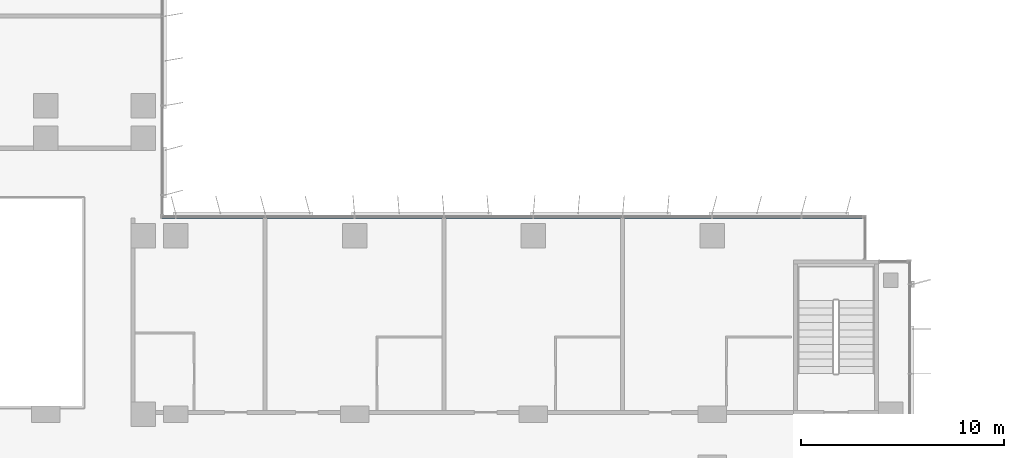
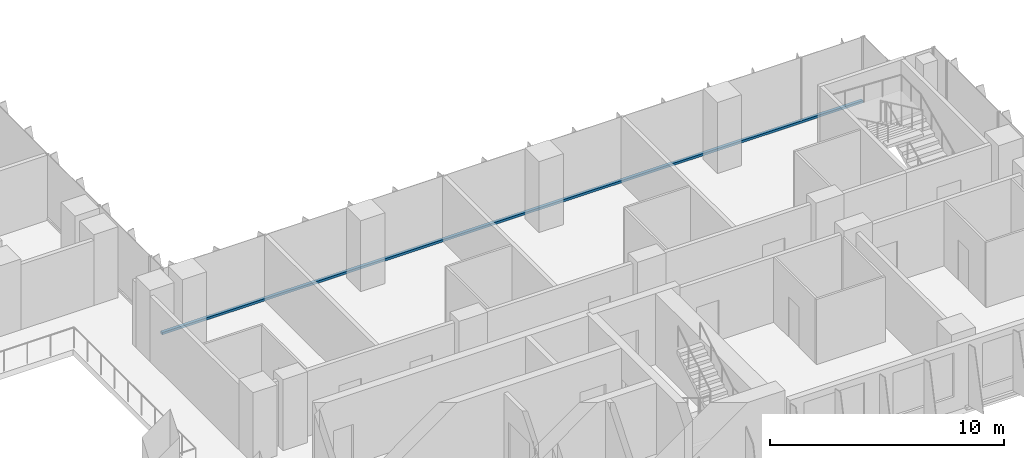
# One storey, part 3 of 22: 1 member, 1 element without a shape of its own.
"""IFC4 building model written with IfcOpenShell, lengths in metres."""

from ifc_helpers import new_model, si_unit, direction, frame, origin, origin_2d, place, context, subcontext, project, spatial, rectangle, extrude, material, material_profile, profile_set, type_object, element, aggregate, save


model = new_model("IFC4")

# Units and contexts
model_context = context("Model", 3, precision=1e-05, world=origin(), true_north=direction((0.0, 1.0)))
body_context = subcontext(model_context, "Body", "Model", "MODEL_VIEW")
ifc_project = project(units=[si_unit("LENGTHUNIT", "METRE"), si_unit("AREAUNIT", "SQUARE_METRE"), si_unit("VOLUMEUNIT", "CUBIC_METRE"), si_unit("PLANEANGLEUNIT", "RADIAN"), si_unit("MASSUNIT", "GRAM", prefix="KILO")], contexts=[model_context])

# Site, building, storey
site_placement = place(None, origin())
site = spatial("IfcSite", under=ifc_project, at=site_placement, CompositionType="ELEMENT")
building_placement = place(site_placement, origin())
building = spatial("IfcBuilding", under=site, at=building_placement, Name="Kemantara Hotel Tower", CompositionType="ELEMENT")
storey_placement = place(building_placement, frame((0.0, 0.0, 87.10009765625)))
storey = spatial("IfcBuildingStorey", under=building, at=storey_placement, Name="L20", CompositionType="ELEMENT", Elevation=87.10009765625)

# Curtain wall, member
ifc_material_1 = material(Name="Low-E tinted double insulated glass 36 mm", Category="glass")
curtain_wall_type = type_object("IfcCurtainWallType", Name="TOWER CURTAIN WALL, FRONT FACES", PredefinedType="USERDEFINED", material=ifc_material_1)
curtain_wall_placement = place(storey_placement, origin())
curtain_wall = element("IfcCurtainWall", 1, at=curtain_wall_placement, inside=storey, type_object=curtain_wall_type, Name="CW4 L20 T2-R13-1", ObjectType="TOWER CURTAIN WALL, FRONT FACES", PredefinedType="USERDEFINED")
ifc_material_2 = material(Name="Aluminium 6063-T6 bronze anodised", Category="aluminium")
ifc_material_profile = material_profile(ifc_material_2, rectangle(XDim=0.14990234375, YDim=0.1201171875, at=origin_2d()), Name="TOWER CURTAIN WALL, FRONT FACES TRANSOM")
ifc_profile_set = profile_set([ifc_material_profile], Name="Aluminium 6063-T6 bronze anodised")
member_type = type_object("IfcMemberType", Name="TOWER CURTAIN WALL, FRONT FACES TRANSOM", PredefinedType="USERDEFINED", material=ifc_profile_set)
member_placement = place(storey_placement, frame((61.25, 21.925048828125, 0.059814453125), z_axis=(-1.0, 0.0, 0.0), x_axis=(0.0, -1.0, 0.0)))
member = element("IfcMember", 2, at=member_placement, type_object=member_type, Name="CW4 sill transom T2-R13-1", ObjectType="TRANSOM", PredefinedType="USERDEFINED", context=body_context, shape_type="SweptSolid", body=[
    extrude(rectangle(XDim=0.14990234375, YDim=0.1201171875, at=origin_2d()), origin(), (0.0, 0.0, 1.0), 34.60009765625),
])
aggregate(curtain_wall, [member])

save(model, "model.ifc")
